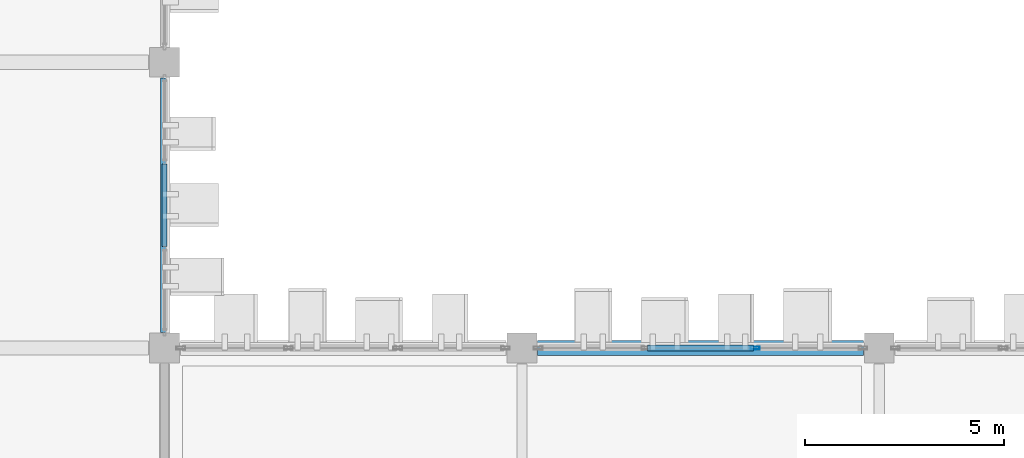
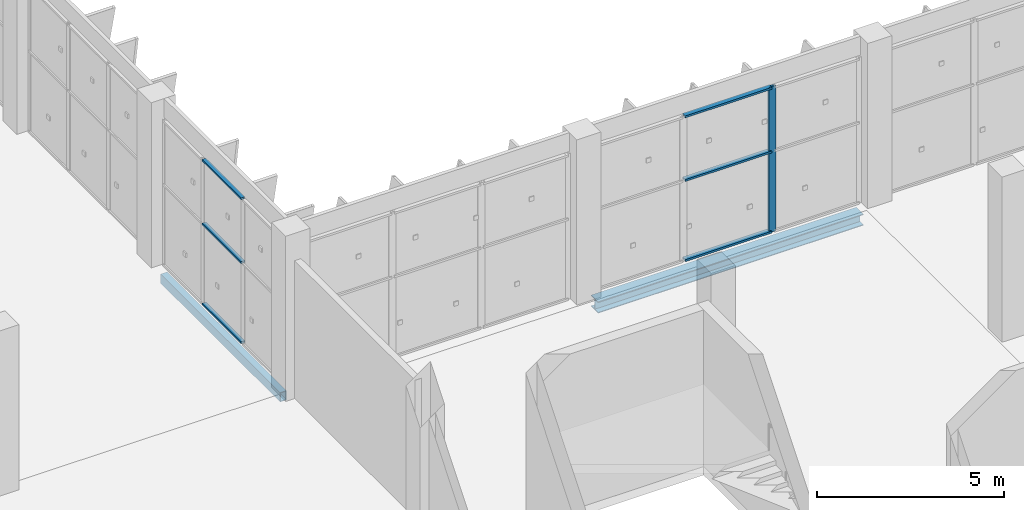
# One storey, part 54 of 189: 7 members, 2 beams, 2 elements without a shape of their own.
"""IFC4 building model written with IfcOpenShell, lengths in metres."""

from ifc_helpers import new_model, si_unit, direction, frame, origin, origin_2d, place, context, subcontext, project, spatial, hollow_rectangle, i_section, extrude, material, layer, layer_set, material_profile, profile_set, type_object, element, aggregate, save


model = new_model("IFC4")

# Units and contexts
model_context = context("Model", 3, precision=1e-05, world=origin(), true_north=direction((0.0, 1.0)))
body_context = subcontext(model_context, "Body", "Model", "MODEL_VIEW")
ifc_project = project(units=[si_unit("LENGTHUNIT", "METRE"), si_unit("AREAUNIT", "SQUARE_METRE"), si_unit("VOLUMEUNIT", "CUBIC_METRE"), si_unit("PLANEANGLEUNIT", "RADIAN"), si_unit("MASSUNIT", "GRAM", prefix="KILO")], contexts=[model_context])

# Site, building, storey
site_placement = place(None, origin())
site = spatial("IfcSite", under=ifc_project, at=site_placement, CompositionType="ELEMENT")
building_placement = place(site_placement, origin())
building = spatial("IfcBuilding", under=site, at=building_placement, Name="Celestram Park Convention Centre", CompositionType="ELEMENT")
storey_placement = place(building_placement, frame((0.0, 0.0, 5.39990234375)))
storey = spatial("IfcBuildingStorey", under=building, at=storey_placement, Name="L01", CompositionType="ELEMENT", Elevation=5.39990234375)

# Curtain wall, member
ifc_material_1 = material(Name="Anodised Aluminium Alloy 6063-T6", Category="aluminium")
ifc_layer_1 = layer(ifc_material_1, 0.179931640625)
ifc_layer_set_1 = layer_set([ifc_layer_1], Name="Anodised Aluminium Alloy 6063-T6")
curtain_wall_type_1 = type_object("IfcCurtainWallType", Name="ARC-CW-825X476", PredefinedType="NOTDEFINED", material=ifc_layer_set_1)
curtain_wall_1_placement = place(storey_placement, origin())
curtain_wall_1 = element("IfcCurtainWall", 1, at=curtain_wall_1_placement, inside=storey, type_object=curtain_wall_type_1, Name="Unitised curtain wall CU-L01-099", PredefinedType="NOTDEFINED")
ifc_material_profile_1 = material_profile(ifc_material_1, hollow_rectangle(XDim=0.074951171875, YDim=0.219970703125, WallThickness=0.00390625, at=origin_2d()), Name="ALU75X220X4")
ifc_profile_set_1 = profile_set([ifc_material_profile_1], Name="Anodised Aluminium Alloy 6063-T6")
member_type_1 = type_object("IfcMemberType", Name="ARC-CWM-180", PredefinedType="MULLION", material=ifc_profile_set_1)
member_1_placement = place(storey_placement, frame((158.875732421875, 36.0, 0.0), z_axis=(0.0, 0.0, 1.0), x_axis=(0.0, 1.0, 0.0)))
member_1 = element("IfcMember", 2, at=member_1_placement, type_object=member_type_1, Name="CW-82X47 mullion 3", PredefinedType="MULLION", context=body_context, shape_type="SweptSolid", body=[
    extrude(hollow_rectangle(XDim=0.074951171875, YDim=0.219970703125, WallThickness=0.00390625, at=origin_2d()), origin(), (0.0, 0.0, 1.0), 4.76416015625),
])

# Curtain wall, members
ifc_layer_2 = layer(ifc_material_1, 0.179931640625)
ifc_layer_set_2 = layer_set([ifc_layer_2], Name="Anodised Aluminium Alloy 6063-T6")
curtain_wall_type_2 = type_object("IfcCurtainWallType", Name="ARC-CW-645X476", PredefinedType="NOTDEFINED", material=ifc_layer_set_2)
curtain_wall_2_placement = place(storey_placement, origin())
curtain_wall_2 = element("IfcCurtainWall", 3, at=curtain_wall_2_placement, inside=storey, type_object=curtain_wall_type_2, Name="Unitised curtain wall CU-L01-097", PredefinedType="NOTDEFINED")
ifc_material_profile_2 = material_profile(ifc_material_1, hollow_rectangle(XDim=0.1201171875, YDim=0.06005859375, WallThickness=0.0029296875, at=origin_2d()), Name="ALU120X60X3")
ifc_profile_set_2 = profile_set([ifc_material_profile_2], Name="Anodised Aluminium Alloy 6063-T6")
member_type_2 = type_object("IfcMemberType", Name="ARC-CWT-120", PredefinedType="USERDEFINED", material=ifc_profile_set_2)
member_2_placement = place(storey_placement, frame((144.0, 40.64306640625, 0.030029296875), z_axis=(0.0, -1.0, 0.0), x_axis=(1.0, 0.0, 0.0)))
member_2 = element("IfcMember", 4, at=member_2_placement, type_object=member_type_2, Name="CW-64X47 transom 2.1", ObjectType="TRANSOM", PredefinedType="USERDEFINED", context=body_context, shape_type="SweptSolid", body=[
    extrude(hollow_rectangle(XDim=0.1201171875, YDim=0.06005859375, WallThickness=0.0029296875, at=origin_2d()), origin(), (0.0, 0.0, 1.0), 2.086181640625),
])
member_3_placement = place(storey_placement, frame((144.0, 40.64306640625, 2.650146484375), z_axis=(0.0, -1.0, 0.0), x_axis=(1.0, 0.0, 0.0)))
member_3 = element("IfcMember", 5, at=member_3_placement, type_object=member_type_2, Name="CW-64X47 transom 2.2", ObjectType="TRANSOM", PredefinedType="USERDEFINED", context=body_context, shape_type="SweptSolid", body=[
    extrude(hollow_rectangle(XDim=0.1201171875, YDim=0.06005859375, WallThickness=0.0029296875, at=origin_2d()), origin(), (0.0, 0.0, 1.0), 2.086181640625),
])
member_4_placement = place(storey_placement, frame((144.0, 40.64306640625, 4.734130859375), z_axis=(0.0, -1.0, 0.0), x_axis=(1.0, 0.0, 0.0)))
member_4 = element("IfcMember", 6, at=member_4_placement, type_object=member_type_2, Name="CW-64X47 transom 2.3", ObjectType="TRANSOM", PredefinedType="USERDEFINED", context=body_context, shape_type="SweptSolid", body=[
    extrude(hollow_rectangle(XDim=0.1201171875, YDim=0.06005859375, WallThickness=0.0029296875, at=origin_2d()), origin(), (0.0, 0.0, 1.0), 2.086181640625),
])
aggregate(curtain_wall_2, [member_2, member_3, member_4])

# Member
ifc_material_profile_3 = material_profile(ifc_material_1, hollow_rectangle(XDim=0.14990234375, YDim=0.06494140625, WallThickness=0.0029296875, at=origin_2d()), Name="ALU150X65X3")
ifc_profile_set_3 = profile_set([ifc_material_profile_3], Name="Anodised Aluminium Alloy 6063-T6")
member_type_3 = type_object("IfcMemberType", Name="ARC-CWT-150", PredefinedType="USERDEFINED", material=ifc_profile_set_3)
member_5_placement = place(storey_placement, frame((156.161865234375, 36.0, 0.03271484375), z_axis=(1.0, 0.0, 0.0), x_axis=(0.0, 1.0, 0.0)))
member_5 = element("IfcMember", 7, at=member_5_placement, type_object=member_type_3, Name="CW-82X47 transom 2.1", ObjectType="TRANSOM", PredefinedType="USERDEFINED", context=body_context, shape_type="SweptSolid", body=[
    extrude(hollow_rectangle(XDim=0.14990234375, YDim=0.06494140625, WallThickness=0.0029296875, at=origin_2d()), origin(), (0.0, 0.0, 1.0), 2.67626953125),
])

member_6_placement = place(storey_placement, frame((156.161865234375, 36.0, 2.650146484375), z_axis=(1.0, 0.0, 0.0), x_axis=(0.0, 1.0, 0.0)))
member_6 = element("IfcMember", 8, at=member_6_placement, type_object=member_type_3, Name="CW-82X47 transom 2.2", ObjectType="TRANSOM", PredefinedType="USERDEFINED", context=body_context, shape_type="SweptSolid", body=[
    extrude(hollow_rectangle(XDim=0.14990234375, YDim=0.06494140625, WallThickness=0.0029296875, at=origin_2d()), origin(), (0.0, 0.0, 1.0), 2.67626953125),
])

member_7_placement = place(storey_placement, frame((156.161865234375, 36.0, 4.731689453125), z_axis=(1.0, 0.0, 0.0), x_axis=(0.0, 1.0, 0.0)))
member_7 = element("IfcMember", 9, at=member_7_placement, type_object=member_type_3, Name="CW-82X47 transom 2.3", ObjectType="TRANSOM", PredefinedType="USERDEFINED", context=body_context, shape_type="SweptSolid", body=[
    extrude(hollow_rectangle(XDim=0.14990234375, YDim=0.06494140625, WallThickness=0.0029296875, at=origin_2d()), origin(), (0.0, 0.0, 1.0), 2.67626953125),
])

aggregate(curtain_wall_1, [member_1, member_5, member_6, member_7])

# Beams
ifc_material_2 = material(Name="Steel ASTM A500 Grade C", Category="steel")
ifc_material_profile_4 = material_profile(ifc_material_2, hollow_rectangle(XDim=0.199951171875, YDim=0.300048828125, WallThickness=0.011962890625, at=origin_2d()), Name="HSS300X200X12")
ifc_profile_set_4 = profile_set([ifc_material_profile_4], Name="Steel ASTM A500 Grade C")
beam_type_1 = type_object("IfcBeamType", Name="STR-SPN-HSS300X200", PredefinedType="SPANDREL", material=ifc_profile_set_4)
beam_1_placement = place(storey_placement, frame((144.0, 36.39794921875, -0.429931640625), z_axis=(0.0, 1.0, 0.0), x_axis=(-1.0, 0.0, 0.0)))
element("IfcBeam", 10, at=beam_1_placement, inside=storey, type_object=beam_type_1, Name="Primary Y-girder BG-L01-0335", PredefinedType="SPANDREL", context=body_context, shape_type="SweptSolid", body=[
    extrude(hollow_rectangle(XDim=0.199951171875, YDim=0.300048828125, WallThickness=0.011962890625, at=origin_2d()), origin(), (0.0, 0.0, 1.0), 6.404052734375),
])
ifc_material_3 = material(Name="Steel ASTM A992 Grade 50", Category="steel")
ifc_material_profile_5 = material_profile(ifc_material_3, i_section(OverallWidth=0.373046875, OverallDepth=0.373046875, WebThickness=0.016357421875, FlangeThickness=0.026123046875, at=origin_2d()), Name="W14X132")
ifc_profile_set_5 = profile_set([ifc_material_profile_5], Name="Steel ASTM A992 Grade 50")
beam_type_2 = type_object("IfcBeamType", Name="STR-SPN-W14X132", PredefinedType="SPANDREL", material=ifc_profile_set_5)
beam_2_placement = place(storey_placement, frame((153.39794921875, 36.0, -0.46630859375), z_axis=(1.0, 0.0, 0.0), x_axis=(0.0, 1.0, 0.0)))
element("IfcBeam", 11, at=beam_2_placement, inside=storey, type_object=beam_type_2, Name="Primary X-girder BG-L01-0366", PredefinedType="SPANDREL", context=body_context, shape_type="SweptSolid", body=[
    extrude(i_section(OverallWidth=0.373046875, OverallDepth=0.373046875, WebThickness=0.016357421875, FlangeThickness=0.026123046875, at=origin_2d()), origin(), (0.0, 0.0, 1.0), 8.2041015625),
])

save(model, "model.ifc")
